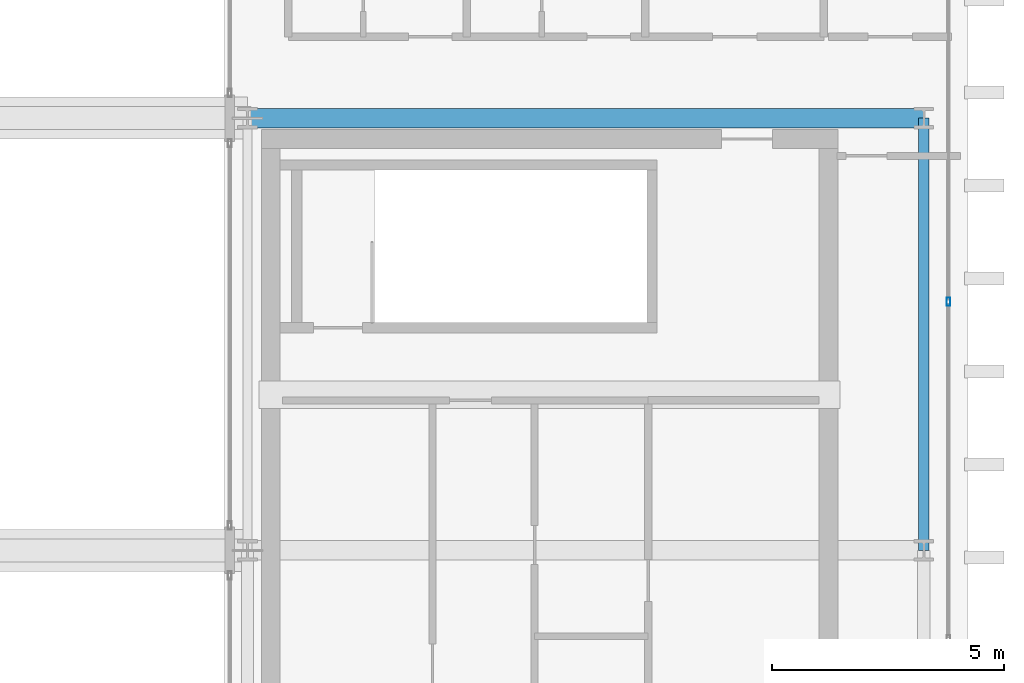
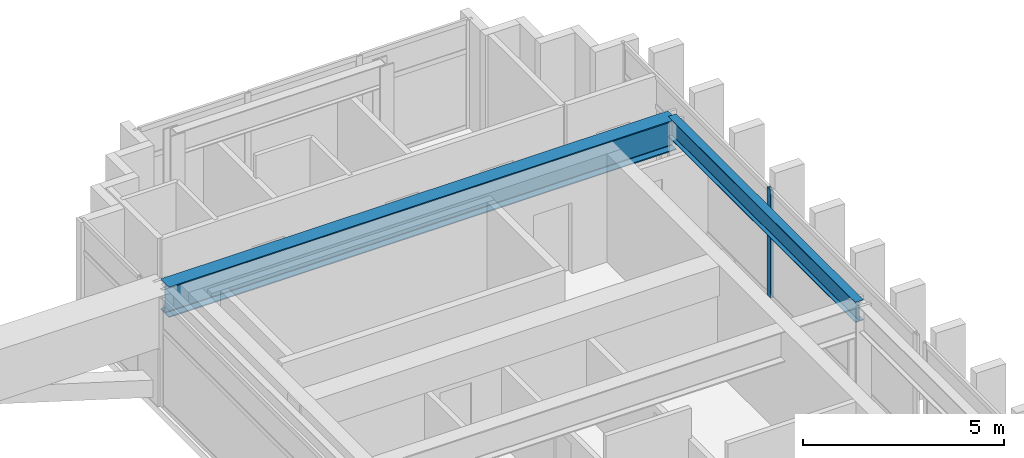
# One storey, part 17 of 28: 2 beams, 1 member, 1 element without a shape of its own.
"""IFC4 building model written with IfcOpenShell, lengths in metres."""

from ifc_helpers import new_model, si_unit, direction, frame, origin, origin_2d, place, context, subcontext, project, spatial, hollow_rectangle, i_section, extrude, source, transform, mapped, material, layer, layer_set, material_profile, profile_set, type_object, element, aggregate, save


model = new_model("IFC4")

# Units and contexts
model_context = context("Model", 3, precision=1e-05, world=origin(), true_north=direction((0.0, 1.0)))
body_context = subcontext(model_context, "Body", "Model", "MODEL_VIEW")
ifc_project = project(units=[si_unit("LENGTHUNIT", "METRE"), si_unit("AREAUNIT", "SQUARE_METRE"), si_unit("VOLUMEUNIT", "CUBIC_METRE"), si_unit("PLANEANGLEUNIT", "RADIAN"), si_unit("MASSUNIT", "GRAM", prefix="KILO")], contexts=[model_context])

# Site, building, storey
site_placement = place(None, origin())
site = spatial("IfcSite", under=ifc_project, at=site_placement, CompositionType="ELEMENT")
building_placement = place(site_placement, origin())
building = spatial("IfcBuilding", under=site, at=building_placement, Name="Ocotamira Hotel", CompositionType="ELEMENT")
storey_placement = place(building_placement, frame((0.0, 0.0, 268.800048828125)))
storey = spatial("IfcBuildingStorey", under=building, at=storey_placement, Name="L68", CompositionType="ELEMENT", Elevation=268.800048828125)

# Beams
ifc_material_1 = material(Name="Steel ASTM A992 Grade 50", Category="steel")
ifc_material_profile_1 = material_profile(ifc_material_1, i_section(OverallWidth=0.41796875, OverallDepth=0.927001953125, WebThickness=0.019287109375, FlangeThickness=0.031982421875, FilletRadius=0.02392578125, at=origin_2d()), Name="W36X231")
ifc_profile_set_1 = profile_set([ifc_material_profile_1], Name="Steel ASTM A992 Grade 50")
beam_type_1 = type_object("IfcBeamType", Name="BM-GIRD-W36X231", PredefinedType="BEAM", material=ifc_profile_set_1)
shared_shape_1 = source(origin(), body_context, "Body", "SweptSolid", [
    extrude(i_section(OverallWidth=0.41796875, OverallDepth=0.927001953125, WebThickness=0.019287109375, FlangeThickness=0.031982421875, FilletRadius=0.02392578125, at=origin_2d()), origin(), (0.0, 0.0, 1.0), 14.550048828125),
])
beam_1_placement = place(storey_placement, frame((40.5, 37.449951171875, 2.81640625), z_axis=(1.0, 0.0, 0.0), x_axis=(0.0, 1.0, 0.0)))
element("IfcBeam", 1, at=beam_1_placement, inside=storey, type_object=beam_type_1, Name="L68 Girder Y37.45 X40.5-55.05", PredefinedType="BEAM", context=body_context, shape_type="MappedRepresentation", body=[
    mapped(shared_shape_1, transform((0.0, 0.0, 0.0), scale=1.0)),
])
ifc_material_profile_2 = material_profile(ifc_material_1, i_section(OverallWidth=0.22998046875, OverallDepth=0.616943359375, WebThickness=0.01318359375, FlangeThickness=0.022216796875, FilletRadius=0.012939453125, at=origin_2d()), Name="W24X94")
ifc_profile_set_2 = profile_set([ifc_material_profile_2], Name="Steel ASTM A992 Grade 50")
beam_type_2 = type_object("IfcBeamType", Name="BM-PRIM-W24X94", PredefinedType="BEAM", material=ifc_profile_set_2)
shared_shape_2 = source(origin(), body_context, "Body", "SweptSolid", [
    extrude(i_section(OverallWidth=0.22998046875, OverallDepth=0.616943359375, WebThickness=0.01318359375, FlangeThickness=0.022216796875, FilletRadius=0.012939453125, at=origin_2d()), origin(), (0.0, 0.0, 1.0), 9.300048828125),
])
beam_2_placement = place(storey_placement, frame((55.050048828125, 28.14990234375, 2.971435546875), z_axis=(0.0, 1.0, 0.0), x_axis=(-1.0, 0.0, 0.0)))
element("IfcBeam", 2, at=beam_2_placement, inside=storey, type_object=beam_type_2, Name="L68 Beam X55.05 Y28.15-37.45", PredefinedType="BEAM", context=body_context, shape_type="MappedRepresentation", body=[
    mapped(shared_shape_2, transform((0.0, 0.0, 0.0), scale=1.0)),
])

# Curtain wall, member
ifc_material_2 = material(Name="Anodised pale-metal aluminium and solar glass", Category="aluminium")
ifc_layer = layer(ifc_material_2, 0.2099609375)
ifc_layer_set = layer_set([ifc_layer], Name="Anodised pale-metal aluminium and solar glass")
curtain_wall_type = type_object("IfcCurtainWallType", Name="CW-SYS7-PEAK", PredefinedType="NOTDEFINED", material=ifc_layer_set)
curtain_wall_placement = place(storey_placement, origin())
curtain_wall = element("IfcCurtainWall", 3, at=curtain_wall_placement, inside=storey, type_object=curtain_wall_type, Name="L68 Curtain Wall CW-7 CW-L68-EO2", PredefinedType="NOTDEFINED")
ifc_material_3 = material(Name="Anodised pale-metal aluminium 6063-T6", Category="aluminium")
ifc_material_profile_3 = material_profile(ifc_material_3, hollow_rectangle(XDim=0.080078125, YDim=0.179931640625, WallThickness=0.006103515625, at=origin_2d()), Name="HSS180X80X6")
ifc_profile_set_3 = profile_set([ifc_material_profile_3], Name="Anodised pale-metal aluminium 6063-T6")
member_type = type_object("IfcMemberType", Name="CWM-180X75", PredefinedType="MULLION", material=ifc_profile_set_3)
shared_shape_3 = source(origin(), body_context, "Body", "SweptSolid", [
    extrude(hollow_rectangle(XDim=0.080078125, YDim=0.179931640625, WallThickness=0.006103515625, at=origin_2d()), origin(), (0.0, 0.0, 1.0), 3.280029296875),
])
member_placement = place(storey_placement, frame((55.580078125, 33.5, 0.0), z_axis=(0.0, 0.0, 1.0), x_axis=(-1.0, 0.0, 0.0)))
member = element("IfcMember", 4, at=member_placement, type_object=member_type, Name="CW-7 mullion 2", PredefinedType="MULLION", context=body_context, shape_type="MappedRepresentation", body=[
    mapped(shared_shape_3, transform((0.0, 0.0, 0.0), scale=1.0)),
])
aggregate(curtain_wall, [member])

save(model, "model.ifc")
